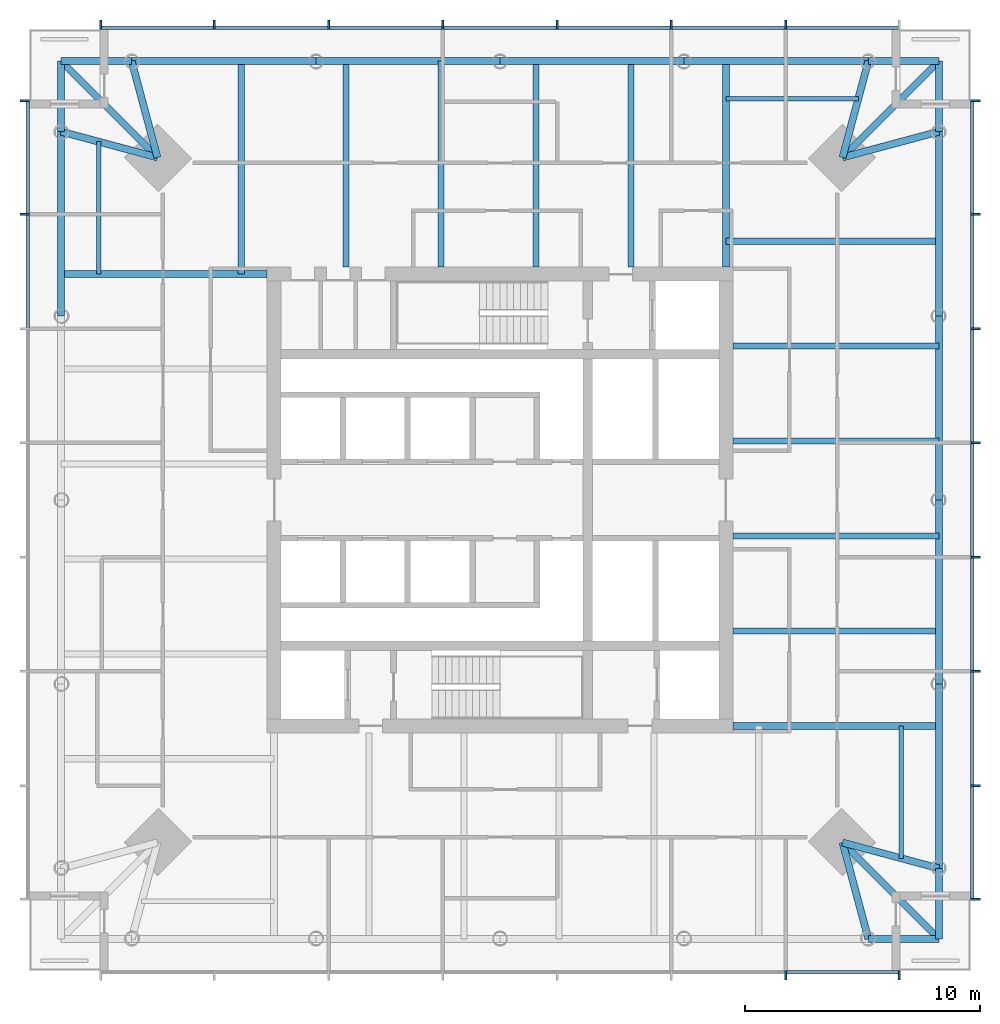
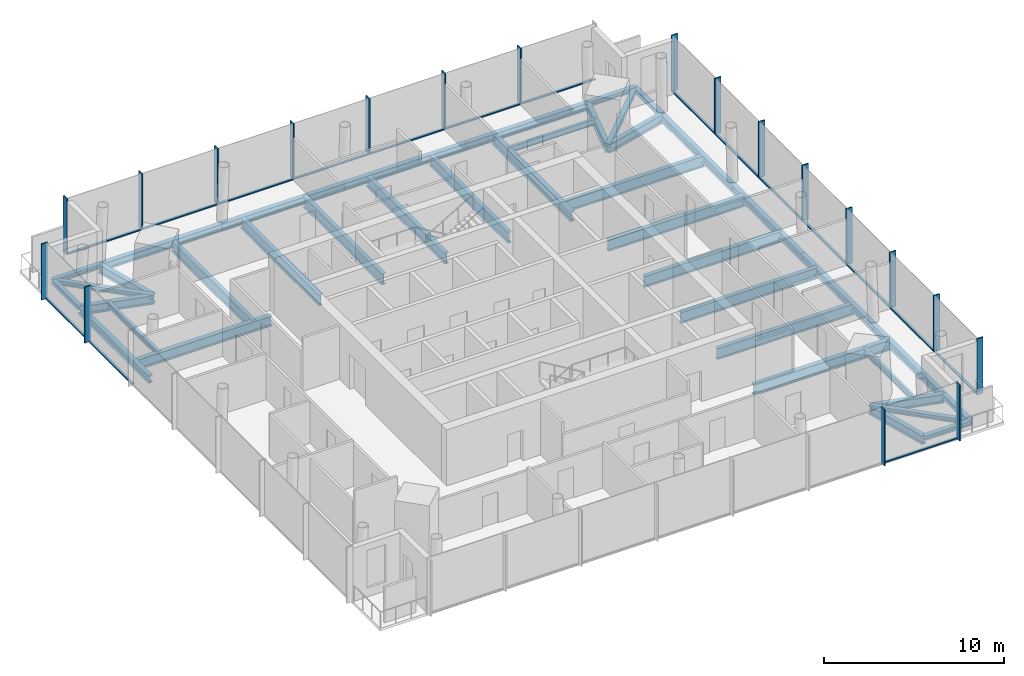
# One storey, part 2 of 7: 40 beams, 36 members, 4 elements without a shape of their own.
"""IFC4 building model written with IfcOpenShell, lengths in metres."""

from ifc_helpers import new_model, si_unit, direction, frame, origin, origin_2d, place, context, subcontext, project, spatial, rectangle, i_section, extrude, material, material_profile, profile_set, type_object, element, aggregate, save


model = new_model("IFC4")

# Units and contexts
model_context = context("Model", 3, precision=1e-05, world=origin(), true_north=direction((0.0, 1.0)))
body_context = subcontext(model_context, "Body", "Model", "MODEL_VIEW")
ifc_project = project(units=[si_unit("LENGTHUNIT", "METRE"), si_unit("AREAUNIT", "SQUARE_METRE"), si_unit("VOLUMEUNIT", "CUBIC_METRE"), si_unit("PLANEANGLEUNIT", "RADIAN"), si_unit("MASSUNIT", "GRAM", prefix="KILO")], contexts=[model_context])

# Site, building, storey
site_placement = place(None, origin())
site = spatial("IfcSite", under=ifc_project, at=site_placement, CompositionType="ELEMENT")
building_placement = place(site_placement, origin())
building = spatial("IfcBuilding", under=site, at=building_placement, Name="Ostroluk Exchange", CompositionType="ELEMENT")
storey_placement = place(building_placement, frame((0.0, 0.0, 188.199951171875)))
storey = spatial("IfcBuildingStorey", under=building, at=storey_placement, Name="L48", CompositionType="ELEMENT", Elevation=188.199951171875)

# Beams
ifc_material_1 = material(Name="Steel S355", Category="steel")
ifc_material_profile_1 = material_profile(ifc_material_1, i_section(OverallWidth=0.300048828125, OverallDepth=0.300048828125, WebThickness=0.010986328125, FlangeThickness=0.01904296875, FilletRadius=0.027099609375, at=origin_2d()), Name="HEB 300")
ifc_profile_set_1 = profile_set([ifc_material_profile_1], Name="Steel S355")
beam_type_1 = type_object("IfcBeamType", Name="Balcony beam HEB 300", PredefinedType="BEAM", material=ifc_profile_set_1)
for number, where, z_axis, x_axis, name in (
    (1, (63.6572265625, 61.6572265625, -0.329833984375), (0.0, 1.0, 0.0), (-1.0, 0.0, 0.0), "T1 east balcony beam a"),
    (2, (60.6572265625, 64.6572265625, -0.329833984375), (1.0, 0.0, 0.0), (0.0, 1.0, 0.0), "T1 east balcony beam b"),
):
    element("IfcBeam", number, at=place(storey_placement, frame(where, z_axis=z_axis, x_axis=x_axis)), inside=storey, type_object=beam_type_1, Name=name, PredefinedType="BEAM", context=body_context, shape_type="SweptSolid", body=[
        extrude(i_section(OverallWidth=0.300048828125, OverallDepth=0.300048828125, WebThickness=0.010986328125, FlangeThickness=0.01904296875, FilletRadius=0.027099609375, at=origin_2d()), origin(), (0.0, 0.0, 1.0), 3.0),
    ])
beam_1_placement = place(storey_placement, frame((59.55712890625, 60.55712890625, -0.329833984375), z_axis=(0.707106781187, 0.707106781187, 0.0), x_axis=(-0.707106781187, 0.707106781187, 0.0)))
element("IfcBeam", 3, at=beam_1_placement, inside=storey, type_object=beam_type_1, Name="T1 east balcony beam c", PredefinedType="BEAM", context=body_context, shape_type="SweptSolid", body=[
    extrude(i_section(OverallWidth=0.300048828125, OverallDepth=0.300048828125, WebThickness=0.010986328125, FlangeThickness=0.01904296875, FilletRadius=0.027099609375, at=origin_2d()), origin(), (0.0, 0.0, 1.0), 5.79833984375),
])
for number, where, z_axis, x_axis, name in (
    (4, (29.3427734375, 64.6572265625, -0.329833984375), (-1.0, 0.0, 0.0), (0.0, -1.0, 0.0), "T1 north balcony beam a"),
    (5, (26.3427734375, 61.6572265625, -0.329833984375), (0.0, 1.0, 0.0), (-1.0, 0.0, 0.0), "T1 north balcony beam b"),
):
    element("IfcBeam", number, at=place(storey_placement, frame(where, z_axis=z_axis, x_axis=x_axis)), inside=storey, type_object=beam_type_1, Name=name, PredefinedType="BEAM", context=body_context, shape_type="SweptSolid", body=[
        extrude(i_section(OverallWidth=0.300048828125, OverallDepth=0.300048828125, WebThickness=0.010986328125, FlangeThickness=0.01904296875, FilletRadius=0.027099609375, at=origin_2d()), origin(), (0.0, 0.0, 1.0), 3.0),
    ])
beam_2_placement = place(storey_placement, frame((30.44287109375, 60.55712890625, -0.329833984375), z_axis=(-0.707106781187, 0.707106781187, 0.0), x_axis=(-0.707106781187, -0.707106781187, 0.0)))
element("IfcBeam", 6, at=beam_2_placement, inside=storey, type_object=beam_type_1, Name="T1 north balcony beam c", PredefinedType="BEAM", context=body_context, shape_type="SweptSolid", body=[
    extrude(i_section(OverallWidth=0.300048828125, OverallDepth=0.300048828125, WebThickness=0.010986328125, FlangeThickness=0.01904296875, FilletRadius=0.027099609375, at=origin_2d()), origin(), (0.0, 0.0, 1.0), 5.79833984375),
])
for number, where, z_axis, x_axis, name in (
    (7, (60.6572265625, 27.3427734375, -0.329833984375), (1.0, 0.0, 0.0), (0.0, 1.0, 0.0), "T1 south balcony beam a"),
    (8, (63.6572265625, 30.3427734375, -0.329833984375), (0.0, -1.0, 0.0), (1.0, 0.0, 0.0), "T1 south balcony beam b"),
):
    element("IfcBeam", number, at=place(storey_placement, frame(where, z_axis=z_axis, x_axis=x_axis)), inside=storey, type_object=beam_type_1, Name=name, PredefinedType="BEAM", context=body_context, shape_type="SweptSolid", body=[
        extrude(i_section(OverallWidth=0.300048828125, OverallDepth=0.300048828125, WebThickness=0.010986328125, FlangeThickness=0.01904296875, FilletRadius=0.027099609375, at=origin_2d()), origin(), (0.0, 0.0, 1.0), 3.0),
    ])
beam_3_placement = place(storey_placement, frame((59.55712890625, 31.44287109375, -0.329833984375), z_axis=(0.707106781187, -0.707106781187, 0.0), x_axis=(0.707106781187, 0.707106781187, 0.0)))
element("IfcBeam", 9, at=beam_3_placement, inside=storey, type_object=beam_type_1, Name="T1 south balcony beam c", PredefinedType="BEAM", context=body_context, shape_type="SweptSolid", body=[
    extrude(i_section(OverallWidth=0.300048828125, OverallDepth=0.300048828125, WebThickness=0.010986328125, FlangeThickness=0.01904296875, FilletRadius=0.027099609375, at=origin_2d()), origin(), (0.0, 0.0, 1.0), 5.79833984375),
])
ifc_material_2 = material(Name="Steel S355", Category="steel")
ifc_material_profile_2 = material_profile(ifc_material_2, i_section(OverallWidth=0.300048828125, OverallDepth=0.60009765625, WebThickness=0.015380859375, FlangeThickness=0.030029296875, FilletRadius=0.027099609375, at=origin_2d()), Name="HEB 600")
ifc_profile_set_2 = profile_set([ifc_material_profile_2], Name="Steel S355")
beam_type_2 = type_object("IfcBeamType", Name="Corner edge beam HEB 600", PredefinedType="SPANDREL", material=ifc_profile_set_2)
for number, where, z_axis, x_axis, name in (
    (10, (59.55712890625, 60.55712890625, -0.47998046875), (0.965838624319, 0.259144268261, 0.0), (-0.259144268261, 0.965838624319, 0.0), "T1 east corner edge beam a"),
    (11, (59.55712890625, 60.55712890625, -0.47998046875), (0.259144268261, 0.965838624319, 0.0), (-0.965838624319, 0.259144268261, 0.0), "T1 east corner edge beam b"),
    (12, (30.44287109375, 60.55712890625, -0.47998046875), (-0.259144268261, 0.965838624319, 0.0), (-0.965838624319, -0.259144268261, 0.0), "T1 north corner edge beam a"),
    (13, (30.44287109375, 60.55712890625, -0.47998046875), (-0.965838624319, 0.259144268261, 0.0), (-0.259144268261, -0.965838624319, 0.0), "T1 north corner edge beam b"),
    (14, (59.55712890625, 31.44287109375, -0.47998046875), (0.259144268261, -0.965838624319, 0.0), (0.965838624319, 0.259144268261, 0.0), "T1 south corner edge beam a"),
    (15, (59.55712890625, 31.44287109375, -0.47998046875), (0.965838624319, -0.259144268261, 0.0), (0.259144268261, 0.965838624319, 0.0), "T1 south corner edge beam b"),
):
    element("IfcBeam", number, at=place(storey_placement, frame(where, z_axis=z_axis, x_axis=x_axis)), inside=storey, type_object=beam_type_2, Name=name, PredefinedType="SPANDREL", context=body_context, shape_type="SweptSolid", body=[
        extrude(i_section(OverallWidth=0.300048828125, OverallDepth=0.60009765625, WebThickness=0.015380859375, FlangeThickness=0.030029296875, FilletRadius=0.027099609375, at=origin_2d()), origin(), (0.0, 0.0, 1.0), 4.2451171875),
    ])
ifc_material_3 = material(Name="Steel S355", Category="steel")
ifc_material_profile_3 = material_profile(ifc_material_3, i_section(OverallWidth=0.179931640625, OverallDepth=0.39990234375, WebThickness=0.008544921875, FlangeThickness=0.013427734375, FilletRadius=0.02099609375, at=origin_2d()), Name="IPE 400")
ifc_profile_set_3 = profile_set([ifc_material_profile_3], Name="Steel S355")
beam_type_3 = type_object("IfcBeamType", Name="Floor beam IPE 400", PredefinedType="BEAM", material=ifc_profile_set_3)
for number, where, z_axis, x_axis, name in (
    (16, (54.60009765625, 63.05712890625, -0.3798828125), (1.0, 0.0, 0.0), (0.0, 1.0, 0.0), "T1 east floor beam 6"),
    (17, (27.94287109375, 55.60009765625, -0.3798828125), (0.0, 1.0, 0.0), (-1.0, 0.0, 0.0), "T1 north floor beam 6"),
    (18, (62.05712890625, 36.39990234375, -0.3798828125), (0.0, -1.0, 0.0), (1.0, 0.0, 0.0), "T1 south floor beam 6"),
):
    element("IfcBeam", number, at=place(storey_placement, frame(where, z_axis=z_axis, x_axis=x_axis)), inside=storey, type_object=beam_type_3, Name=name, PredefinedType="BEAM", context=body_context, shape_type="SweptSolid", body=[
        extrude(i_section(OverallWidth=0.179931640625, OverallDepth=0.39990234375, WebThickness=0.008544921875, FlangeThickness=0.013427734375, FilletRadius=0.02099609375, at=origin_2d()), origin(), (0.0, 0.0, 1.0), 5.627685546875),
    ])
ifc_material_4 = material(Name="Steel S355", Category="steel")
ifc_material_profile_4 = material_profile(ifc_material_4, i_section(OverallWidth=0.264892578125, OverallDepth=0.7529296875, WebThickness=0.01318359375, FlangeThickness=0.01708984375, FilletRadius=0.01708984375, at=origin_2d()), Name="IPE 750x147")
ifc_profile_set_4 = profile_set([ifc_material_profile_4], Name="Steel S355")
beam_type_4 = type_object("IfcBeamType", Name="Floor beam IPE 750x147", PredefinedType="BEAM", material=ifc_profile_set_4)
for number, where, z_axis, x_axis, name in (
    (19, (54.89990234375, 40.436767578125, -0.556396484375), (1.0, 0.0, 0.0), (0.0, 1.0, 0.0), "T1 east floor beam 1"),
    (20, (54.89990234375, 44.473388671875, -0.556396484375), (1.0, 0.0, 0.0), (0.0, 1.0, 0.0), "T1 east floor beam 2"),
    (21, (54.89990234375, 48.51025390625, -0.556396484375), (1.0, 0.0, 0.0), (0.0, 1.0, 0.0), "T1 east floor beam 3"),
    (22, (54.89990234375, 52.546875, -0.556396484375), (1.0, 0.0, 0.0), (0.0, 1.0, 0.0), "T1 east floor beam 4"),
):
    element("IfcBeam", number, at=place(storey_placement, frame(where, z_axis=z_axis, x_axis=x_axis)), inside=storey, type_object=beam_type_4, Name=name, PredefinedType="BEAM", context=body_context, shape_type="SweptSolid", body=[
        extrude(i_section(OverallWidth=0.264892578125, OverallDepth=0.7529296875, WebThickness=0.01318359375, FlangeThickness=0.01708984375, FilletRadius=0.01708984375, at=origin_2d()), origin(), (0.0, 0.0, 1.0), 8.75732421875),
    ])
beam_4_placement = place(storey_placement, frame((54.60009765625, 57.0, -0.556396484375), z_axis=(1.0, 0.0, 0.0), x_axis=(0.0, 1.0, 0.0)))
element("IfcBeam", 23, at=beam_4_placement, inside=storey, type_object=beam_type_4, Name="T1 east floor beam 5", PredefinedType="BEAM", context=body_context, shape_type="SweptSolid", body=[
    extrude(i_section(OverallWidth=0.264892578125, OverallDepth=0.7529296875, WebThickness=0.01318359375, FlangeThickness=0.01708984375, FilletRadius=0.01708984375, at=origin_2d()), origin(), (0.0, 0.0, 1.0), 9.05712890625),
])
for number, where, z_axis, x_axis, name in (
    (24, (50.563232421875, 55.89990234375, -0.556396484375), (0.0, 1.0, 0.0), (-1.0, 0.0, 0.0), "T1 north floor beam 1"),
    (25, (46.526611328125, 55.89990234375, -0.556396484375), (0.0, 1.0, 0.0), (-1.0, 0.0, 0.0), "T1 north floor beam 2"),
    (26, (42.48974609375, 55.89990234375, -0.556396484375), (0.0, 1.0, 0.0), (-1.0, 0.0, 0.0), "T1 north floor beam 3"),
    (27, (38.453125, 55.89990234375, -0.556396484375), (0.0, 1.0, 0.0), (-1.0, 0.0, 0.0), "T1 north floor beam 4"),
):
    element("IfcBeam", number, at=place(storey_placement, frame(where, z_axis=z_axis, x_axis=x_axis)), inside=storey, type_object=beam_type_4, Name=name, PredefinedType="BEAM", context=body_context, shape_type="SweptSolid", body=[
        extrude(i_section(OverallWidth=0.264892578125, OverallDepth=0.7529296875, WebThickness=0.01318359375, FlangeThickness=0.01708984375, FilletRadius=0.01708984375, at=origin_2d()), origin(), (0.0, 0.0, 1.0), 8.75732421875),
    ])
beam_5_placement = place(storey_placement, frame((34.0, 55.60009765625, -0.556396484375), z_axis=(0.0, 1.0, 0.0), x_axis=(-1.0, 0.0, 0.0)))
element("IfcBeam", 28, at=beam_5_placement, inside=storey, type_object=beam_type_4, Name="T1 north floor beam 5", PredefinedType="BEAM", context=body_context, shape_type="SweptSolid", body=[
    extrude(i_section(OverallWidth=0.264892578125, OverallDepth=0.7529296875, WebThickness=0.01318359375, FlangeThickness=0.01708984375, FilletRadius=0.01708984375, at=origin_2d()), origin(), (0.0, 0.0, 1.0), 9.05712890625),
])
ifc_material_5 = material(Name="Steel S355", Category="steel")
ifc_material_profile_5 = material_profile(ifc_material_5, i_section(OverallWidth=0.300048828125, OverallDepth=0.699951171875, WebThickness=0.01708984375, FlangeThickness=0.031982421875, FilletRadius=0.027099609375, at=origin_2d()), Name="HEB 700")
ifc_profile_set_5 = profile_set([ifc_material_profile_5], Name="Steel S355")
beam_type_5 = type_object("IfcBeamType", Name="Girder HEB 700", PredefinedType="BEAM", material=ifc_profile_set_5)
for number, where, z_axis, x_axis, name in (
    (29, (54.60009765625, 55.89990234375, -0.530029296875), (0.0, 1.0, 0.0), (-1.0, 0.0, 0.0), "T1 east girder"),
    (30, (35.10009765625, 55.60009765625, -0.530029296875), (-1.0, 0.0, 0.0), (0.0, -1.0, 0.0), "T1 north girder"),
    (31, (54.89990234375, 36.39990234375, -0.530029296875), (1.0, 0.0, 0.0), (0.0, 1.0, 0.0), "T1 south girder"),
):
    element("IfcBeam", number, at=place(storey_placement, frame(where, z_axis=z_axis, x_axis=x_axis)), inside=storey, type_object=beam_type_5, Name=name, PredefinedType="BEAM", context=body_context, shape_type="SweptSolid", body=[
        extrude(i_section(OverallWidth=0.300048828125, OverallDepth=0.699951171875, WebThickness=0.01708984375, FlangeThickness=0.031982421875, FilletRadius=0.027099609375, at=origin_2d()), origin(), (0.0, 0.0, 1.0), 8.75732421875),
    ])
ifc_material_6 = material(Name="Steel S355", Category="steel")
ifc_material_profile_6 = material_profile(ifc_material_6, i_section(OverallWidth=0.300048828125, OverallDepth=0.5, WebThickness=0.014404296875, FlangeThickness=0.028076171875, FilletRadius=0.027099609375, at=origin_2d()), Name="HEB 500")
ifc_profile_set_6 = profile_set([ifc_material_profile_6], Name="Steel S355")
beam_type_6 = type_object("IfcBeamType", Name="Moment-connected edge beam HEB 500", PredefinedType="SPANDREL", material=ifc_profile_set_6)
for number, where, z_axis, x_axis, name in (
    (32, (63.6572265625, 30.3427734375, -0.429931640625), (0.0, 1.0, 0.0), (-1.0, 0.0, 0.0), "T1 east edge beam 1"),
    (33, (63.6572265625, 38.17138671875, -0.429931640625), (0.0, 1.0, 0.0), (-1.0, 0.0, 0.0), "T1 east edge beam 2"),
    (34, (63.6572265625, 46.0, -0.429931640625), (0.0, 1.0, 0.0), (-1.0, 0.0, 0.0), "T1 east edge beam 3"),
    (35, (63.6572265625, 53.82861328125, -0.429931640625), (0.0, 1.0, 0.0), (-1.0, 0.0, 0.0), "T1 east edge beam 4"),
    (36, (60.6572265625, 64.6572265625, -0.429931640625), (-1.0, 0.0, 0.0), (0.0, -1.0, 0.0), "T1 north edge beam 1"),
    (37, (52.82861328125, 64.6572265625, -0.429931640625), (-1.0, 0.0, 0.0), (0.0, -1.0, 0.0), "T1 north edge beam 2"),
    (38, (45.0, 64.6572265625, -0.429931640625), (-1.0, 0.0, 0.0), (0.0, -1.0, 0.0), "T1 north edge beam 3"),
    (39, (37.17138671875, 64.6572265625, -0.429931640625), (-1.0, 0.0, 0.0), (0.0, -1.0, 0.0), "T1 north edge beam 4"),
    (40, (26.3427734375, 61.6572265625, -0.429931640625), (0.0, -1.0, 0.0), (1.0, 0.0, 0.0), "T1 west edge beam 1"),
):
    element("IfcBeam", number, at=place(storey_placement, frame(where, z_axis=z_axis, x_axis=x_axis)), inside=storey, type_object=beam_type_6, Name=name, PredefinedType="SPANDREL", context=body_context, shape_type="SweptSolid", body=[
        extrude(i_section(OverallWidth=0.300048828125, OverallDepth=0.5, WebThickness=0.014404296875, FlangeThickness=0.028076171875, FilletRadius=0.027099609375, at=origin_2d()), origin(), (0.0, 0.0, 1.0), 7.82861328125),
    ])

# Curtain wall, member
ifc_material_7 = material(Name="Laminated clear glass", Category="glass")
curtain_wall_type = type_object("IfcCurtainWallType", Name="Office tower facade", PredefinedType="USERDEFINED", material=ifc_material_7)
curtain_wall_1_placement = place(storey_placement, origin())
curtain_wall_1 = element("IfcCurtainWall", 41, at=curtain_wall_1_placement, inside=storey, type_object=curtain_wall_type, Name="Office tower south facade L48", ObjectType="UNITISED CURTAIN WALL", PredefinedType="USERDEFINED")
ifc_material_8 = material(Name="Aluminium mullion", Category="aluminium")
ifc_material_profile_7 = material_profile(ifc_material_8, rectangle(XDim=0.14990234375, YDim=0.080078125, at=origin_2d()), Name="Sill transom 80 x 150")
ifc_profile_set_7 = profile_set([ifc_material_profile_7], Name="Aluminium mullion")
member_type_1 = type_object("IfcMemberType", Name="Sill transom 80 x 150", PredefinedType="USERDEFINED", material=ifc_profile_set_7)
member_1_placement = place(storey_placement, frame((57.182861328125, 25.925048828125, 0.0400390625), z_axis=(1.0, 0.0, 0.0), x_axis=(0.0, 1.0, 0.0)))
member_1 = element("IfcMember", 42, at=member_1_placement, type_object=member_type_1, Name="CW-O1 transom 7.1", ObjectType="TRANSOM", PredefinedType="USERDEFINED", context=body_context, shape_type="SweptSolid", body=[
    extrude(rectangle(XDim=0.14990234375, YDim=0.080078125, at=origin_2d()), origin(), (0.0, 0.0, 1.0), 4.737060546875),
])

# Curtain wall, members
curtain_wall_2_placement = place(storey_placement, origin())
curtain_wall_2 = element("IfcCurtainWall", 43, at=curtain_wall_2_placement, inside=storey, type_object=curtain_wall_type, Name="Office tower east facade L48", ObjectType="UNITISED CURTAIN WALL", PredefinedType="USERDEFINED")
member_2_placement = place(storey_placement, frame((65.074951171875, 29.080078125, 0.0400390625), z_axis=(0.0, 1.0, 0.0), x_axis=(-1.0, 0.0, 0.0)))
member_2 = element("IfcMember", 44, at=member_2_placement, type_object=member_type_1, Name="CW-O1 transom 1.1", ObjectType="TRANSOM", PredefinedType="USERDEFINED", context=body_context, shape_type="SweptSolid", body=[
    extrude(rectangle(XDim=0.14990234375, YDim=0.080078125, at=origin_2d()), origin(), (0.0, 0.0, 1.0), 4.737060546875),
])
member_3_placement = place(storey_placement, frame((65.074951171875, 33.897216796875, 0.0400390625), z_axis=(0.0, 1.0, 0.0), x_axis=(-1.0, 0.0, 0.0)))
member_3 = element("IfcMember", 45, at=member_3_placement, type_object=member_type_1, Name="CW-O1 transom 2.1", ObjectType="TRANSOM", PredefinedType="USERDEFINED", context=body_context, shape_type="SweptSolid", body=[
    extrude(rectangle(XDim=0.14990234375, YDim=0.080078125, at=origin_2d()), origin(), (0.0, 0.0, 1.0), 4.777099609375),
])
member_4_placement = place(storey_placement, frame((65.074951171875, 38.75439453125, 0.0400390625), z_axis=(0.0, 1.0, 0.0), x_axis=(-1.0, 0.0, 0.0)))
member_4 = element("IfcMember", 46, at=member_4_placement, type_object=member_type_1, Name="CW-O1 transom 3.1", ObjectType="TRANSOM", PredefinedType="USERDEFINED", context=body_context, shape_type="SweptSolid", body=[
    extrude(rectangle(XDim=0.14990234375, YDim=0.080078125, at=origin_2d()), origin(), (0.0, 0.0, 1.0), 4.777099609375),
])
member_5_placement = place(storey_placement, frame((65.074951171875, 43.611328125, 0.0400390625), z_axis=(0.0, 1.0, 0.0), x_axis=(-1.0, 0.0, 0.0)))
member_5 = element("IfcMember", 47, at=member_5_placement, type_object=member_type_1, Name="CW-O1 transom 4.1", ObjectType="TRANSOM", PredefinedType="USERDEFINED", context=body_context, shape_type="SweptSolid", body=[
    extrude(rectangle(XDim=0.14990234375, YDim=0.080078125, at=origin_2d()), origin(), (0.0, 0.0, 1.0), 4.77734375),
])
member_6_placement = place(storey_placement, frame((65.074951171875, 48.468505859375, 0.0400390625), z_axis=(0.0, 1.0, 0.0), x_axis=(-1.0, 0.0, 0.0)))
member_6 = element("IfcMember", 48, at=member_6_placement, type_object=member_type_1, Name="CW-O1 transom 5.1", ObjectType="TRANSOM", PredefinedType="USERDEFINED", context=body_context, shape_type="SweptSolid", body=[
    extrude(rectangle(XDim=0.14990234375, YDim=0.080078125, at=origin_2d()), origin(), (0.0, 0.0, 1.0), 4.777099609375),
])
member_7_placement = place(storey_placement, frame((65.074951171875, 53.32568359375, 0.0400390625), z_axis=(0.0, 1.0, 0.0), x_axis=(-1.0, 0.0, 0.0)))
member_7 = element("IfcMember", 49, at=member_7_placement, type_object=member_type_1, Name="CW-O1 transom 6.1", ObjectType="TRANSOM", PredefinedType="USERDEFINED", context=body_context, shape_type="SweptSolid", body=[
    extrude(rectangle(XDim=0.14990234375, YDim=0.080078125, at=origin_2d()), origin(), (0.0, 0.0, 1.0), 4.777099609375),
])
member_8_placement = place(storey_placement, frame((65.074951171875, 58.182861328125, 0.0400390625), z_axis=(0.0, 1.0, 0.0), x_axis=(-1.0, 0.0, 0.0)))
member_8 = element("IfcMember", 50, at=member_8_placement, type_object=member_type_1, Name="CW-O1 transom 7.1", ObjectType="TRANSOM", PredefinedType="USERDEFINED", context=body_context, shape_type="SweptSolid", body=[
    extrude(rectangle(XDim=0.14990234375, YDim=0.080078125, at=origin_2d()), origin(), (0.0, 0.0, 1.0), 4.737060546875),
])

curtain_wall_3_placement = place(storey_placement, origin())
curtain_wall_3 = element("IfcCurtainWall", 51, at=curtain_wall_3_placement, inside=storey, type_object=curtain_wall_type, Name="Office tower north facade L48", ObjectType="UNITISED CURTAIN WALL", PredefinedType="USERDEFINED")
member_9_placement = place(storey_placement, frame((61.919921875, 66.074951171875, 0.0400390625), z_axis=(-1.0, 0.0, 0.0), x_axis=(0.0, -1.0, 0.0)))
member_9 = element("IfcMember", 52, at=member_9_placement, type_object=member_type_1, Name="CW-O1 transom 1.1", ObjectType="TRANSOM", PredefinedType="USERDEFINED", context=body_context, shape_type="SweptSolid", body=[
    extrude(rectangle(XDim=0.14990234375, YDim=0.080078125, at=origin_2d()), origin(), (0.0, 0.0, 1.0), 4.737060546875),
])
member_10_placement = place(storey_placement, frame((57.102783203125, 66.074951171875, 0.0400390625), z_axis=(-1.0, 0.0, 0.0), x_axis=(0.0, -1.0, 0.0)))
member_10 = element("IfcMember", 53, at=member_10_placement, type_object=member_type_1, Name="CW-O1 transom 2.1", ObjectType="TRANSOM", PredefinedType="USERDEFINED", context=body_context, shape_type="SweptSolid", body=[
    extrude(rectangle(XDim=0.14990234375, YDim=0.080078125, at=origin_2d()), origin(), (0.0, 0.0, 1.0), 4.777099609375),
])
member_11_placement = place(storey_placement, frame((52.24560546875, 66.074951171875, 0.0400390625), z_axis=(-1.0, 0.0, 0.0), x_axis=(0.0, -1.0, 0.0)))
member_11 = element("IfcMember", 54, at=member_11_placement, type_object=member_type_1, Name="CW-O1 transom 3.1", ObjectType="TRANSOM", PredefinedType="USERDEFINED", context=body_context, shape_type="SweptSolid", body=[
    extrude(rectangle(XDim=0.14990234375, YDim=0.080078125, at=origin_2d()), origin(), (0.0, 0.0, 1.0), 4.777099609375),
])
member_12_placement = place(storey_placement, frame((47.388671875, 66.074951171875, 0.0400390625), z_axis=(-1.0, 0.0, 0.0), x_axis=(0.0, -1.0, 0.0)))
member_12 = element("IfcMember", 55, at=member_12_placement, type_object=member_type_1, Name="CW-O1 transom 4.1", ObjectType="TRANSOM", PredefinedType="USERDEFINED", context=body_context, shape_type="SweptSolid", body=[
    extrude(rectangle(XDim=0.14990234375, YDim=0.080078125, at=origin_2d()), origin(), (0.0, 0.0, 1.0), 4.77734375),
])
member_13_placement = place(storey_placement, frame((42.531494140625, 66.074951171875, 0.0400390625), z_axis=(-1.0, 0.0, 0.0), x_axis=(0.0, -1.0, 0.0)))
member_13 = element("IfcMember", 56, at=member_13_placement, type_object=member_type_1, Name="CW-O1 transom 5.1", ObjectType="TRANSOM", PredefinedType="USERDEFINED", context=body_context, shape_type="SweptSolid", body=[
    extrude(rectangle(XDim=0.14990234375, YDim=0.080078125, at=origin_2d()), origin(), (0.0, 0.0, 1.0), 4.777099609375),
])
member_14_placement = place(storey_placement, frame((37.67431640625, 66.074951171875, 0.0400390625), z_axis=(-1.0, 0.0, 0.0), x_axis=(0.0, -1.0, 0.0)))
member_14 = element("IfcMember", 57, at=member_14_placement, type_object=member_type_1, Name="CW-O1 transom 6.1", ObjectType="TRANSOM", PredefinedType="USERDEFINED", context=body_context, shape_type="SweptSolid", body=[
    extrude(rectangle(XDim=0.14990234375, YDim=0.080078125, at=origin_2d()), origin(), (0.0, 0.0, 1.0), 4.777099609375),
])
member_15_placement = place(storey_placement, frame((32.817138671875, 66.074951171875, 0.0400390625), z_axis=(-1.0, 0.0, 0.0), x_axis=(0.0, -1.0, 0.0)))
member_15 = element("IfcMember", 58, at=member_15_placement, type_object=member_type_1, Name="CW-O1 transom 7.1", ObjectType="TRANSOM", PredefinedType="USERDEFINED", context=body_context, shape_type="SweptSolid", body=[
    extrude(rectangle(XDim=0.14990234375, YDim=0.080078125, at=origin_2d()), origin(), (0.0, 0.0, 1.0), 4.737060546875),
])

curtain_wall_4_placement = place(storey_placement, origin())
curtain_wall_4 = element("IfcCurtainWall", 59, at=curtain_wall_4_placement, inside=storey, type_object=curtain_wall_type, Name="Office tower west facade L48", ObjectType="UNITISED CURTAIN WALL", PredefinedType="USERDEFINED")
member_16_placement = place(storey_placement, frame((24.925048828125, 62.919921875, 0.0400390625), z_axis=(0.0, -1.0, 0.0), x_axis=(1.0, 0.0, 0.0)))
member_16 = element("IfcMember", 60, at=member_16_placement, type_object=member_type_1, Name="CW-O1 transom 1.1", ObjectType="TRANSOM", PredefinedType="USERDEFINED", context=body_context, shape_type="SweptSolid", body=[
    extrude(rectangle(XDim=0.14990234375, YDim=0.080078125, at=origin_2d()), origin(), (0.0, 0.0, 1.0), 4.737060546875),
])
member_17_placement = place(storey_placement, frame((24.925048828125, 58.102783203125, 0.0400390625), z_axis=(0.0, -1.0, 0.0), x_axis=(1.0, 0.0, 0.0)))
member_17 = element("IfcMember", 61, at=member_17_placement, type_object=member_type_1, Name="CW-O1 transom 2.1", ObjectType="TRANSOM", PredefinedType="USERDEFINED", context=body_context, shape_type="SweptSolid", body=[
    extrude(rectangle(XDim=0.14990234375, YDim=0.080078125, at=origin_2d()), origin(), (0.0, 0.0, 1.0), 4.777099609375),
])

# Member
ifc_material_9 = material(Name="Aluminium mullion with limestone facing", Category="masonry")
ifc_material_profile_8 = material_profile(ifc_material_9, rectangle(XDim=0.39990234375, YDim=0.080078125, at=origin_2d()), Name="Tracery mullion 80 x 400")
ifc_profile_set_8 = profile_set([ifc_material_profile_8], Name="Aluminium mullion with limestone facing")
member_type_2 = type_object("IfcMemberType", Name="Tracery mullion 80 x 400", PredefinedType="MULLION", material=ifc_profile_set_8)
member_18_placement = place(storey_placement, frame((57.142822265625, 25.800048828125, 0.0), z_axis=(0.0, 0.0, 1.0), x_axis=(0.0, 1.0, 0.0)))
member_18 = element("IfcMember", 62, at=member_18_placement, type_object=member_type_2, Name="CW-O1 mullion 7", PredefinedType="MULLION", context=body_context, shape_type="SweptSolid", body=[
    extrude(rectangle(XDim=0.39990234375, YDim=0.080078125, at=origin_2d()), origin(), (0.0, 0.0, 1.0), 3.800048828125),
])

member_19_placement = place(storey_placement, frame((61.9599609375, 25.800048828125, 0.0), z_axis=(0.0, 0.0, 1.0), x_axis=(0.0, 1.0, 0.0)))
member_19 = element("IfcMember", 63, at=member_19_placement, type_object=member_type_2, Name="CW-O1 mullion 8", PredefinedType="MULLION", context=body_context, shape_type="SweptSolid", body=[
    extrude(rectangle(XDim=0.39990234375, YDim=0.080078125, at=origin_2d()), origin(), (0.0, 0.0, 1.0), 3.800048828125),
])

aggregate(curtain_wall_1, [member_18, member_19, member_1])

member_20_placement = place(storey_placement, frame((65.199951171875, 29.0400390625, 0.0), z_axis=(0.0, 0.0, 1.0), x_axis=(-1.0, 0.0, 0.0)))
member_20 = element("IfcMember", 64, at=member_20_placement, type_object=member_type_2, Name="CW-O1 mullion 1", PredefinedType="MULLION", context=body_context, shape_type="SweptSolid", body=[
    extrude(rectangle(XDim=0.39990234375, YDim=0.080078125, at=origin_2d()), origin(), (0.0, 0.0, 1.0), 3.800048828125),
])

member_21_placement = place(storey_placement, frame((65.199951171875, 33.857177734375, 0.0), z_axis=(0.0, 0.0, 1.0), x_axis=(-1.0, 0.0, 0.0)))
member_21 = element("IfcMember", 65, at=member_21_placement, type_object=member_type_2, Name="CW-O1 mullion 2", PredefinedType="MULLION", context=body_context, shape_type="SweptSolid", body=[
    extrude(rectangle(XDim=0.39990234375, YDim=0.080078125, at=origin_2d()), origin(), (0.0, 0.0, 1.0), 3.800048828125),
])

member_22_placement = place(storey_placement, frame((65.199951171875, 38.71435546875, 0.0), z_axis=(0.0, 0.0, 1.0), x_axis=(-1.0, 0.0, 0.0)))
member_22 = element("IfcMember", 66, at=member_22_placement, type_object=member_type_2, Name="CW-O1 mullion 3", PredefinedType="MULLION", context=body_context, shape_type="SweptSolid", body=[
    extrude(rectangle(XDim=0.39990234375, YDim=0.080078125, at=origin_2d()), origin(), (0.0, 0.0, 1.0), 3.800048828125),
])

member_23_placement = place(storey_placement, frame((65.199951171875, 43.571533203125, 0.0), z_axis=(0.0, 0.0, 1.0), x_axis=(-1.0, 0.0, 0.0)))
member_23 = element("IfcMember", 67, at=member_23_placement, type_object=member_type_2, Name="CW-O1 mullion 4", PredefinedType="MULLION", context=body_context, shape_type="SweptSolid", body=[
    extrude(rectangle(XDim=0.39990234375, YDim=0.080078125, at=origin_2d()), origin(), (0.0, 0.0, 1.0), 3.800048828125),
])

member_24_placement = place(storey_placement, frame((65.199951171875, 48.428466796875, 0.0), z_axis=(0.0, 0.0, 1.0), x_axis=(-1.0, 0.0, 0.0)))
member_24 = element("IfcMember", 68, at=member_24_placement, type_object=member_type_2, Name="CW-O1 mullion 5", PredefinedType="MULLION", context=body_context, shape_type="SweptSolid", body=[
    extrude(rectangle(XDim=0.39990234375, YDim=0.080078125, at=origin_2d()), origin(), (0.0, 0.0, 1.0), 3.800048828125),
])

member_25_placement = place(storey_placement, frame((65.199951171875, 53.28564453125, 0.0), z_axis=(0.0, 0.0, 1.0), x_axis=(-1.0, 0.0, 0.0)))
member_25 = element("IfcMember", 69, at=member_25_placement, type_object=member_type_2, Name="CW-O1 mullion 6", PredefinedType="MULLION", context=body_context, shape_type="SweptSolid", body=[
    extrude(rectangle(XDim=0.39990234375, YDim=0.080078125, at=origin_2d()), origin(), (0.0, 0.0, 1.0), 3.800048828125),
])

member_26_placement = place(storey_placement, frame((65.199951171875, 58.142822265625, 0.0), z_axis=(0.0, 0.0, 1.0), x_axis=(-1.0, 0.0, 0.0)))
member_26 = element("IfcMember", 70, at=member_26_placement, type_object=member_type_2, Name="CW-O1 mullion 7", PredefinedType="MULLION", context=body_context, shape_type="SweptSolid", body=[
    extrude(rectangle(XDim=0.39990234375, YDim=0.080078125, at=origin_2d()), origin(), (0.0, 0.0, 1.0), 3.800048828125),
])

member_27_placement = place(storey_placement, frame((65.199951171875, 62.9599609375, 0.0), z_axis=(0.0, 0.0, 1.0), x_axis=(-1.0, 0.0, 0.0)))
member_27 = element("IfcMember", 71, at=member_27_placement, type_object=member_type_2, Name="CW-O1 mullion 8", PredefinedType="MULLION", context=body_context, shape_type="SweptSolid", body=[
    extrude(rectangle(XDim=0.39990234375, YDim=0.080078125, at=origin_2d()), origin(), (0.0, 0.0, 1.0), 3.800048828125),
])

aggregate(curtain_wall_2, [member_20, member_21, member_22, member_23, member_24, member_25, member_26, member_27, member_2, member_3, member_4, member_5, member_6, member_7, member_8])

member_28_placement = place(storey_placement, frame((57.142822265625, 66.199951171875, 0.0), z_axis=(0.0, 0.0, 1.0), x_axis=(0.0, -1.0, 0.0)))
member_28 = element("IfcMember", 72, at=member_28_placement, type_object=member_type_2, Name="CW-O1 mullion 2", PredefinedType="MULLION", context=body_context, shape_type="SweptSolid", body=[
    extrude(rectangle(XDim=0.39990234375, YDim=0.080078125, at=origin_2d()), origin(), (0.0, 0.0, 1.0), 3.800048828125),
])

member_29_placement = place(storey_placement, frame((52.28564453125, 66.199951171875, 0.0), z_axis=(0.0, 0.0, 1.0), x_axis=(0.0, -1.0, 0.0)))
member_29 = element("IfcMember", 73, at=member_29_placement, type_object=member_type_2, Name="CW-O1 mullion 3", PredefinedType="MULLION", context=body_context, shape_type="SweptSolid", body=[
    extrude(rectangle(XDim=0.39990234375, YDim=0.080078125, at=origin_2d()), origin(), (0.0, 0.0, 1.0), 3.800048828125),
])

member_30_placement = place(storey_placement, frame((47.428466796875, 66.199951171875, 0.0), z_axis=(0.0, 0.0, 1.0), x_axis=(0.0, -1.0, 0.0)))
member_30 = element("IfcMember", 74, at=member_30_placement, type_object=member_type_2, Name="CW-O1 mullion 4", PredefinedType="MULLION", context=body_context, shape_type="SweptSolid", body=[
    extrude(rectangle(XDim=0.39990234375, YDim=0.080078125, at=origin_2d()), origin(), (0.0, 0.0, 1.0), 3.800048828125),
])

member_31_placement = place(storey_placement, frame((42.571533203125, 66.199951171875, 0.0), z_axis=(0.0, 0.0, 1.0), x_axis=(0.0, -1.0, 0.0)))
member_31 = element("IfcMember", 75, at=member_31_placement, type_object=member_type_2, Name="CW-O1 mullion 5", PredefinedType="MULLION", context=body_context, shape_type="SweptSolid", body=[
    extrude(rectangle(XDim=0.39990234375, YDim=0.080078125, at=origin_2d()), origin(), (0.0, 0.0, 1.0), 3.800048828125),
])

member_32_placement = place(storey_placement, frame((37.71435546875, 66.199951171875, 0.0), z_axis=(0.0, 0.0, 1.0), x_axis=(0.0, -1.0, 0.0)))
member_32 = element("IfcMember", 76, at=member_32_placement, type_object=member_type_2, Name="CW-O1 mullion 6", PredefinedType="MULLION", context=body_context, shape_type="SweptSolid", body=[
    extrude(rectangle(XDim=0.39990234375, YDim=0.080078125, at=origin_2d()), origin(), (0.0, 0.0, 1.0), 3.800048828125),
])

member_33_placement = place(storey_placement, frame((32.857177734375, 66.199951171875, 0.0), z_axis=(0.0, 0.0, 1.0), x_axis=(0.0, -1.0, 0.0)))
member_33 = element("IfcMember", 77, at=member_33_placement, type_object=member_type_2, Name="CW-O1 mullion 7", PredefinedType="MULLION", context=body_context, shape_type="SweptSolid", body=[
    extrude(rectangle(XDim=0.39990234375, YDim=0.080078125, at=origin_2d()), origin(), (0.0, 0.0, 1.0), 3.800048828125),
])

member_34_placement = place(storey_placement, frame((28.0400390625, 66.199951171875, 0.0), z_axis=(0.0, 0.0, 1.0), x_axis=(0.0, -1.0, 0.0)))
member_34 = element("IfcMember", 78, at=member_34_placement, type_object=member_type_2, Name="CW-O1 mullion 8", PredefinedType="MULLION", context=body_context, shape_type="SweptSolid", body=[
    extrude(rectangle(XDim=0.39990234375, YDim=0.080078125, at=origin_2d()), origin(), (0.0, 0.0, 1.0), 3.800048828125),
])

aggregate(curtain_wall_3, [member_28, member_29, member_30, member_31, member_32, member_33, member_34, member_9, member_10, member_11, member_12, member_13, member_14, member_15])

member_35_placement = place(storey_placement, frame((24.800048828125, 62.9599609375, 0.0), z_axis=(0.0, 0.0, 1.0), x_axis=(1.0, 0.0, 0.0)))
member_35 = element("IfcMember", 79, at=member_35_placement, type_object=member_type_2, Name="CW-O1 mullion 1", PredefinedType="MULLION", context=body_context, shape_type="SweptSolid", body=[
    extrude(rectangle(XDim=0.39990234375, YDim=0.080078125, at=origin_2d()), origin(), (0.0, 0.0, 1.0), 3.800048828125),
])

member_36_placement = place(storey_placement, frame((24.800048828125, 58.142822265625, 0.0), z_axis=(0.0, 0.0, 1.0), x_axis=(1.0, 0.0, 0.0)))
member_36 = element("IfcMember", 80, at=member_36_placement, type_object=member_type_2, Name="CW-O1 mullion 2", PredefinedType="MULLION", context=body_context, shape_type="SweptSolid", body=[
    extrude(rectangle(XDim=0.39990234375, YDim=0.080078125, at=origin_2d()), origin(), (0.0, 0.0, 1.0), 3.800048828125),
])

aggregate(curtain_wall_4, [member_35, member_36, member_16, member_17])

save(model, "model.ifc")
